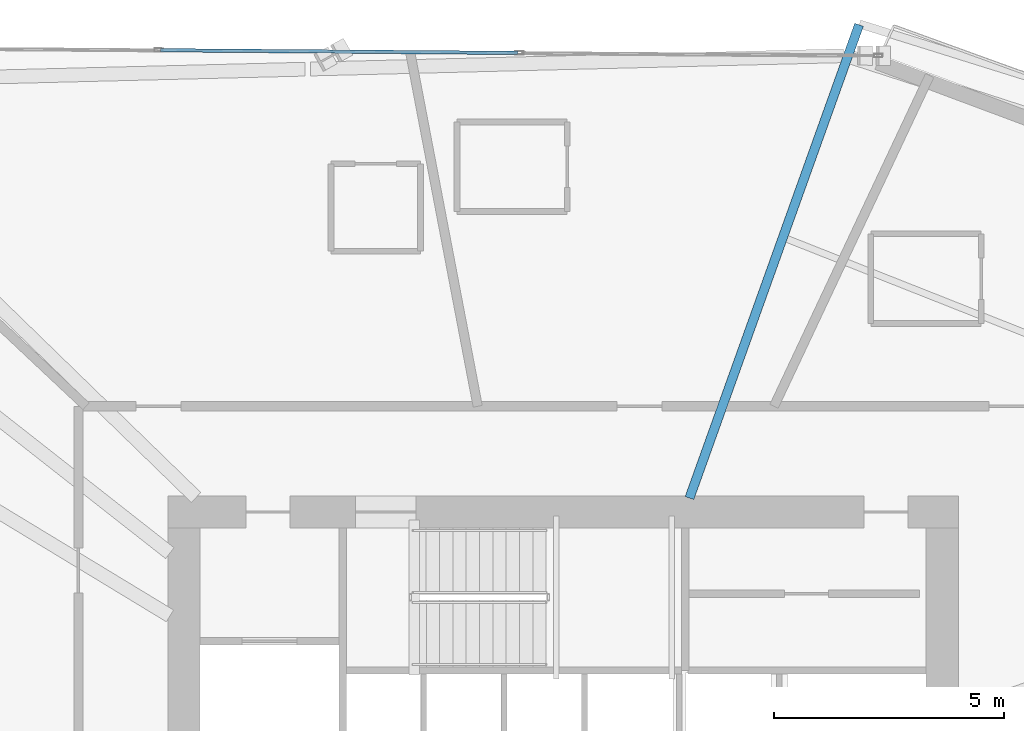
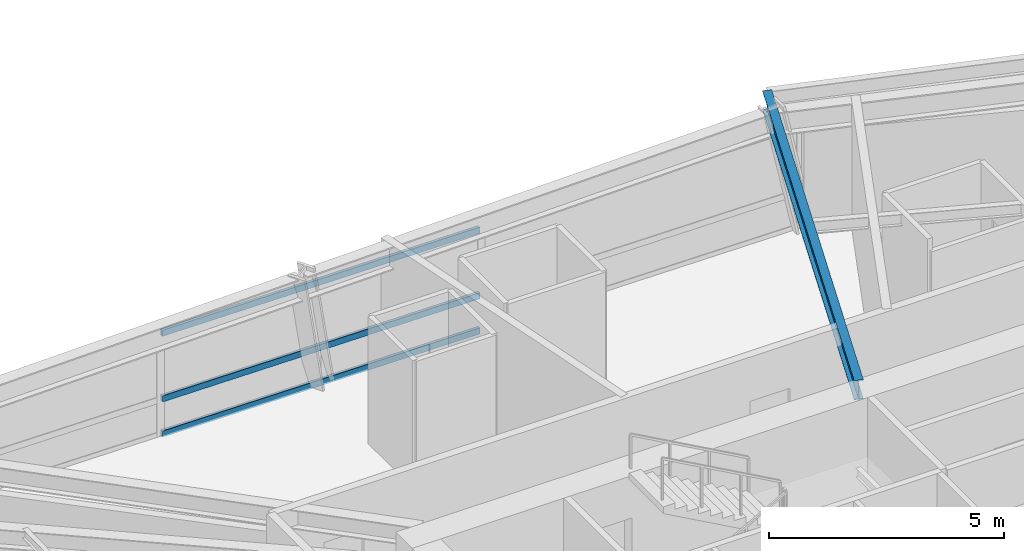
# One storey, part 8 of 22: 3 members, 1 beam, 1 element without a shape of its own.
"""IFC4 building model written with IfcOpenShell, lengths in metres."""

import ifcopenshell
import ifcopenshell.guid

model = None  # the IFC model being written
_history = None  # IfcOwnerHistory: only IFC2X3 demands one
_inside = {}  # id of a spatial element -> (the spatial element, [elements in it])
_under = {}  # id of a project, library or spatial element -> (it, [spatial elements below it])
_declared = {}  # id of a project -> (the project, [libraries it declares])
_typed = {}  # id of a type object -> (the type object, [elements of that type])
_made_of = {}  # id of a material, layer set ... -> (it, [elements and type objects made of it])


def new_model(schema):
    """Start an empty IFC model of exactly this schema.

    Asked for "IFC4X3", IfcOpenShell would pick the latest addendum, in which some entities
    have other attributes; the version numbers below select the first issue.
    IFC2X3 requires an IfcOwnerHistory on every rooted entity: one is made here for all.
    """
    global model, _history
    if schema == "IFC4X3":
        model = ifcopenshell.file(schema_version=(4, 3, 0, 0))
    else:
        model = ifcopenshell.file(schema=schema)
    _inside.clear()
    _under.clear()
    _declared.clear()
    _typed.clear()
    _made_of.clear()
    _history = None
    if model.schema == "IFC2X3":
        org = make("IfcOrganization", Name="unknown")
        user = make(
            "IfcPersonAndOrganization",
            ThePerson=make("IfcPerson", FamilyName="unknown"),
            TheOrganization=org,
        )
        app = make(
            "IfcApplication",
            ApplicationDeveloper=org,
            Version="unknown",
            ApplicationFullName="unknown",
            ApplicationIdentifier="unknown",
        )
        _history = make(
            "IfcOwnerHistory",
            OwningUser=user,
            OwningApplication=app,
            ChangeAction="ADDED",
            CreationDate=0,
        )
    return model


def make(cls, **values):
    """One entity of the class cls with the attributes given. An attribute that is None is left unset."""
    return model.create_entity(
        cls, **{name: value for name, value in values.items() if value is not None}
    )


def rooted(cls, **values):
    """An entity with a GlobalId (a new one), such as an element, a storey or a relation."""
    return make(cls, GlobalId=ifcopenshell.guid.new(), OwnerHistory=_history, **values)


def si_unit(unit_type, name, prefix=None):
    """IfcSIUnit, for example si_unit("LENGTHUNIT", "METRE", prefix="MILLI")."""
    return make("IfcSIUnit", UnitType=unit_type, Prefix=prefix, Name=name)


def assignment(units):
    """IfcUnitAssignment: the units of a project."""
    return None if units is None else make("IfcUnitAssignment", Units=units)


def point(xyz):
    """IfcCartesianPoint."""
    return None if xyz is None else make("IfcCartesianPoint", Coordinates=xyz)


def direction(xyz):
    """IfcDirection."""
    return None if xyz is None else make("IfcDirection", DirectionRatios=xyz)


def frame(location, z_axis=None, x_axis=None):
    """IfcAxis2Placement3D, a coordinate frame: its origin and axes. An axis left out is left unset."""
    return make(
        "IfcAxis2Placement3D",
        Location=point(location),
        Axis=direction(z_axis),
        RefDirection=direction(x_axis),
    )


def frame_2d(location, x_axis=None):
    """IfcAxis2Placement2D, a coordinate frame in the plane: its origin and x axis."""
    return make(
        "IfcAxis2Placement2D", Location=point(location), RefDirection=direction(x_axis)
    )


def origin():
    """The frame at (0, 0, 0) with its axes left unset."""
    return frame((0.0, 0.0, 0.0))


def origin_2d():
    """The frame at (0, 0) in the plane with its x axis left unset."""
    return frame_2d((0.0, 0.0))


def place(relative_to, where):
    """IfcLocalPlacement: puts the frame where relative to a parent placement (None: the world)."""
    return make(
        "IfcLocalPlacement", PlacementRelTo=relative_to, RelativePlacement=where
    )


def context(
    kind, dimensions, precision=None, world=None, true_north=None, identifier=None
):
    """IfcGeometricRepresentationContext, for example the 3D "Model" context."""
    return make(
        "IfcGeometricRepresentationContext",
        ContextIdentifier=identifier,
        ContextType=kind,
        CoordinateSpaceDimension=dimensions,
        Precision=precision,
        WorldCoordinateSystem=world,
        TrueNorth=true_north,
    )


def subcontext(parent, identifier, kind, view, scale=None):
    """IfcGeometricRepresentationSubContext, for example "Body" below "Model"."""
    return make(
        "IfcGeometricRepresentationSubContext",
        ContextIdentifier=identifier,
        ContextType=kind,
        ParentContext=parent,
        TargetScale=scale,
        TargetView=view,
    )


def project(units=None, contexts=None):
    """IfcProject with its units and contexts."""
    return rooted(
        "IfcProject",
        Name="project",
        RepresentationContexts=contexts,
        UnitsInContext=assignment(units),
    )


def spatial(cls, under=None, at=None, **own):
    """A site, building, storey or space (cls), placed at a placement, below another one or the project."""
    s = rooted(cls, ObjectPlacement=at, **own)
    if under is not None:
        _under.setdefault(under.id(), (under, []))[1].append(s)
    return s


def profile(cls, at=None, kind="AREA", **sizes):
    """A parametric profile (cls). Its sizes go by their IFC names, for example OverallWidth=200.0."""
    return make(cls, ProfileType=kind, Position=at, **sizes)


def hollow_rectangle(**sizes):
    """IfcRectangleHollowProfileDef."""
    return profile("IfcRectangleHollowProfileDef", **sizes)


def i_section(**sizes):
    """IfcIShapeProfileDef."""
    return profile("IfcIShapeProfileDef", **sizes)


def extrude(swept, where, along, depth):
    """IfcExtrudedAreaSolid: the profile swept, set in the frame where, extruded along a direction by depth."""
    return make(
        "IfcExtrudedAreaSolid",
        SweptArea=swept,
        Position=where,
        ExtrudedDirection=direction(along),
        Depth=depth,
    )


def shape(context_of_items, identifier, shape_type, items):
    """IfcShapeRepresentation: the items that make up one representation, for example the "Body"."""
    return make(
        "IfcShapeRepresentation",
        ContextOfItems=context_of_items,
        RepresentationIdentifier=identifier,
        RepresentationType=shape_type,
        Items=items,
    )


def source(mapping_origin, context_of_items, identifier, shape_type, items):
    """IfcRepresentationMap: a shape defined once, which mapped items show again and again."""
    return make(
        "IfcRepresentationMap",
        MappingOrigin=mapping_origin,
        MappedRepresentation=shape(context_of_items, identifier, shape_type, items),
    )


def transform(
    local_origin,
    x_axis=None,
    y_axis=None,
    z_axis=None,
    scale=None,
    scale2=None,
    scale3=None,
    uniform=True,
):
    """IfcCartesianTransformationOperator3D, or its non-uniform kind. x_axis, y_axis, z_axis: its Axis1, 2, 3."""
    if uniform:
        return make(
            "IfcCartesianTransformationOperator3D",
            Axis1=direction(x_axis),
            Axis2=direction(y_axis),
            LocalOrigin=point(local_origin),
            Scale=scale,
            Axis3=direction(z_axis),
        )
    return make(
        "IfcCartesianTransformationOperator3DnonUniform",
        Axis1=direction(x_axis),
        Axis2=direction(y_axis),
        LocalOrigin=point(local_origin),
        Scale=scale,
        Axis3=direction(z_axis),
        Scale2=scale2,
        Scale3=scale3,
    )


def mapped(mapping_source, mapping_target):
    """IfcMappedItem: shows the shape of a source again, moved by a transform."""
    return make(
        "IfcMappedItem", MappingSource=mapping_source, MappingTarget=mapping_target
    )


def material(Name=None, Category=None):
    """IfcMaterial."""
    return make("IfcMaterial", Name=Name, Category=Category)


def material_profile(
    of_material, cross_section, Name=None, Category=None, Priority=None
):
    """IfcMaterialProfile: a cross section and its material."""
    return make(
        "IfcMaterialProfile",
        Name=Name,
        Material=of_material,
        Profile=cross_section,
        Priority=Priority,
        Category=Category,
    )


def profile_set(profiles, Name=None, composite=None):
    """IfcMaterialProfileSet."""
    return make(
        "IfcMaterialProfileSet",
        Name=Name,
        MaterialProfiles=profiles,
        CompositeProfile=composite,
    )


def made_of(thing, what):
    """Note that an element or type object is made of a material, layer set ...; save() writes the relation."""
    if what is not None:
        _made_of.setdefault(what.id(), (what, []))[1].append(thing)
    return thing


def type_object(cls, material=None, **own):
    """A type object (cls), such as IfcWallType, which elements share."""
    return made_of(rooted(cls, **own), material)


def element(
    cls,
    number,
    at=None,
    inside=None,
    cuts=None,
    type_object=None,
    material=None,
    context=None,
    identifier="Body",
    shape_type=None,
    held_by="IfcProductDefinitionShape",
    body=None,
    shapes=None,
    **own,
):
    """One element of the class cls, such as IfcWall. Its Tag is "e" and its number.

    at: its placement. inside: the storey or other place that contains it. cuts: it is an
    opening in that element (IfcRelVoidsElement). A single representation is given by context,
    identifier, shape_type and body (its items); several are given by shapes. held_by: the class
    of the entity that holds the representations. save() writes the other relations.
    """
    e = rooted(cls, Tag="e%d" % number, ObjectPlacement=at, **own)
    if body is not None:
        shapes = [shape(context, identifier, shape_type, body)]
    if shapes is not None:
        e.Representation = make(held_by, Representations=shapes)
    if inside is not None:
        _inside.setdefault(inside.id(), (inside, []))[1].append(e)
    if cuts is not None:
        rooted(
            "IfcRelVoidsElement", RelatingBuildingElement=cuts, RelatedOpeningElement=e
        )
    if type_object is not None:
        _typed.setdefault(type_object.id(), (type_object, []))[1].append(e)
    return made_of(e, material)


def aggregate(whole, parts):
    """IfcRelAggregates: a whole, such as a stair, and the parts it consists of."""
    return rooted("IfcRelAggregates", RelatingObject=whole, RelatedObjects=parts)


def save(model, path):
    """Write the relations noted so far, then the file.

    IfcRelAggregates (storeys below a building ...), IfcRelContainedInSpatialStructure (elements
    in a storey), IfcRelDefinesByType, IfcRelAssociatesMaterial and IfcRelDeclares: one each for
    every whole, place, type object, material and project.
    """
    for whole, parts in _under.values():
        aggregate(whole, parts)
    for where, things in _inside.values():
        rooted(
            "IfcRelContainedInSpatialStructure",
            RelatedElements=things,
            RelatingStructure=where,
        )
    for kind, things in _typed.values():
        rooted("IfcRelDefinesByType", RelatedObjects=things, RelatingType=kind)
    for what, things in _made_of.values():
        rooted("IfcRelAssociatesMaterial", RelatedObjects=things, RelatingMaterial=what)
    for by, libraries in _declared.values():
        rooted("IfcRelDeclares", RelatingContext=by, RelatedDefinitions=libraries)
    model.write(path)


model = new_model("IFC4")

# Units and contexts
model_context = context("Model", 3, precision=1e-05, world=origin(), true_north=direction((0.0, 1.0)))
body_context = subcontext(model_context, "Body", "Model", "MODEL_VIEW")
ifc_project = project(units=[si_unit("LENGTHUNIT", "METRE"), si_unit("AREAUNIT", "SQUARE_METRE"), si_unit("VOLUMEUNIT", "CUBIC_METRE"), si_unit("PLANEANGLEUNIT", "RADIAN"), si_unit("MASSUNIT", "GRAM", prefix="KILO")], contexts=[model_context])

# Site, building, storey
site_placement = place(None, origin())
site = spatial("IfcSite", under=ifc_project, at=site_placement, CompositionType="ELEMENT")
building_placement = place(site_placement, origin())
building = spatial("IfcBuilding", under=site, at=building_placement, Name="Olszyna Solenne Hotel", CompositionType="ELEMENT")
storey_placement = place(building_placement, frame((0.0, 0.0, 95.050048828125)))
storey = spatial("IfcBuildingStorey", under=building, at=storey_placement, Name="L24", CompositionType="ELEMENT", Elevation=95.050048828125)

# Beam
ifc_material_1 = material(Name="Steel S355J2", Category="steel")
ifc_material_profile_1 = material_profile(ifc_material_1, i_section(OverallWidth=0.199951171875, OverallDepth=0.5, WebThickness=0.01025390625, FlangeThickness=0.01611328125, at=origin_2d()), Name="IPE 500", Category="load-bearing")
ifc_profile_set_1 = profile_set([ifc_material_profile_1], Name="Steel S355J2")
beam_type = type_object("IfcBeamType", Name="BM-F3", PredefinedType="BEAM", material=ifc_profile_set_1)
shared_shape_1 = source(origin(), body_context, "Body", "SweptSolid", [
    extrude(i_section(OverallWidth=0.199951171875, OverallDepth=0.5, WebThickness=0.01025390625, FlangeThickness=0.01611328125, at=origin_2d()), origin(), (0.0, 0.0, 1.0), 10.9404296875),
])
beam_placement = place(storey_placement, frame((44.439453125, 44.651611328125, 3.050048828125), z_axis=(-0.337430328706, -0.941350505003, 0.0), x_axis=(0.941350505003, -0.337430328706, 0.0)))
element("IfcBeam", 1, at=beam_placement, inside=storey, type_object=beam_type, Name="Radial floor girder BM-F3 B-L24-0734", PredefinedType="BEAM", context=body_context, shape_type="MappedRepresentation", body=[
    mapped(shared_shape_1, transform((0.0, 0.0, 0.0), x_axis=(1.0, 0.0, 0.0), y_axis=(0.0, 1.0, 0.0), z_axis=(0.0, 0.0, 1.0), scale=1.0)),
])

# Curtain wall, members
ifc_material_2 = material(Name="Anodised bronze aluminium", Category="aluminium")
curtain_wall_type = type_object("IfcCurtainWallType", Name="CW-SYS-3", PredefinedType="NOTDEFINED", material=ifc_material_2)
curtain_wall_placement = place(storey_placement, origin())
curtain_wall = element("IfcCurtainWall", 2, at=curtain_wall_placement, inside=storey, type_object=curtain_wall_type, Name="Unitised curtain wall CW-SYS-3 CW-L24-02", PredefinedType="NOTDEFINED")
ifc_material_profile_2 = material_profile(ifc_material_2, hollow_rectangle(XDim=0.074951171875, YDim=0.159912109375, WallThickness=0.00390625, at=origin_2d()), Name="TRAN 160x75x4", Category="load-bearing")
ifc_profile_set_2 = profile_set([ifc_material_profile_2], Name="Anodised bronze aluminium")
member_type = type_object("IfcMemberType", Name="CW-T1", PredefinedType="USERDEFINED", material=ifc_profile_set_2)
shared_shape_2 = source(origin(), body_context, "Body", "SweptSolid", [
    extrude(hollow_rectangle(XDim=0.074951171875, YDim=0.159912109375, WallThickness=0.00390625, at=origin_2d()), origin(), (0.0, 0.0, 1.0), 7.772705078125),
])
member_1_placement = place(storey_placement, frame((29.23876953125, 44.098876953125, 0.037353515625), z_axis=(0.999971348429, -0.007569829595, 0.0), x_axis=(0.007569829595, 0.999971348429, 0.0)))
member_1 = element("IfcMember", 3, at=member_1_placement, type_object=member_type, Name="Curtain-wall transom CW-T1 CT-L24-02-04", ObjectType="TRANSOM", PredefinedType="USERDEFINED", context=body_context, shape_type="MappedRepresentation", body=[
    mapped(shared_shape_2, transform((0.0, 0.0, 0.0), x_axis=(1.0, 0.0, 0.0), y_axis=(0.0, 1.0, 0.0), z_axis=(0.0, 0.0, 1.0), scale=1.0)),
])
member_2_placement = place(storey_placement, frame((29.23876953125, 44.098876953125, 0.949951171875), z_axis=(0.999971348429, -0.007569829595, 0.0), x_axis=(0.007569829595, 0.999971348429, 0.0)))
member_2 = element("IfcMember", 4, at=member_2_placement, type_object=member_type, Name="Curtain-wall transom CW-T1 CT-L24-02-05", ObjectType="TRANSOM", PredefinedType="USERDEFINED", context=body_context, shape_type="MappedRepresentation", body=[
    mapped(shared_shape_2, transform((0.0, 0.0, 0.0), x_axis=(1.0, 0.0, 0.0), y_axis=(0.0, 1.0, 0.0), z_axis=(0.0, 0.0, 1.0), scale=1.0)),
])
member_3_placement = place(storey_placement, frame((29.23876953125, 44.098876953125, 2.654541015625), z_axis=(0.999971348429, -0.007569829595, 0.0), x_axis=(0.007569829595, 0.999971348429, 0.0)))
member_3 = element("IfcMember", 5, at=member_3_placement, type_object=member_type, Name="Curtain-wall transom CW-T1 CT-L24-02-06", ObjectType="TRANSOM", PredefinedType="USERDEFINED", context=body_context, shape_type="MappedRepresentation", body=[
    mapped(shared_shape_2, transform((0.0, 0.0, 0.0), x_axis=(1.0, 0.0, 0.0), y_axis=(0.0, 1.0, 0.0), z_axis=(0.0, 0.0, 1.0), scale=1.0)),
])
aggregate(curtain_wall, [member_1, member_2, member_3])

save(model, "model.ifc")
